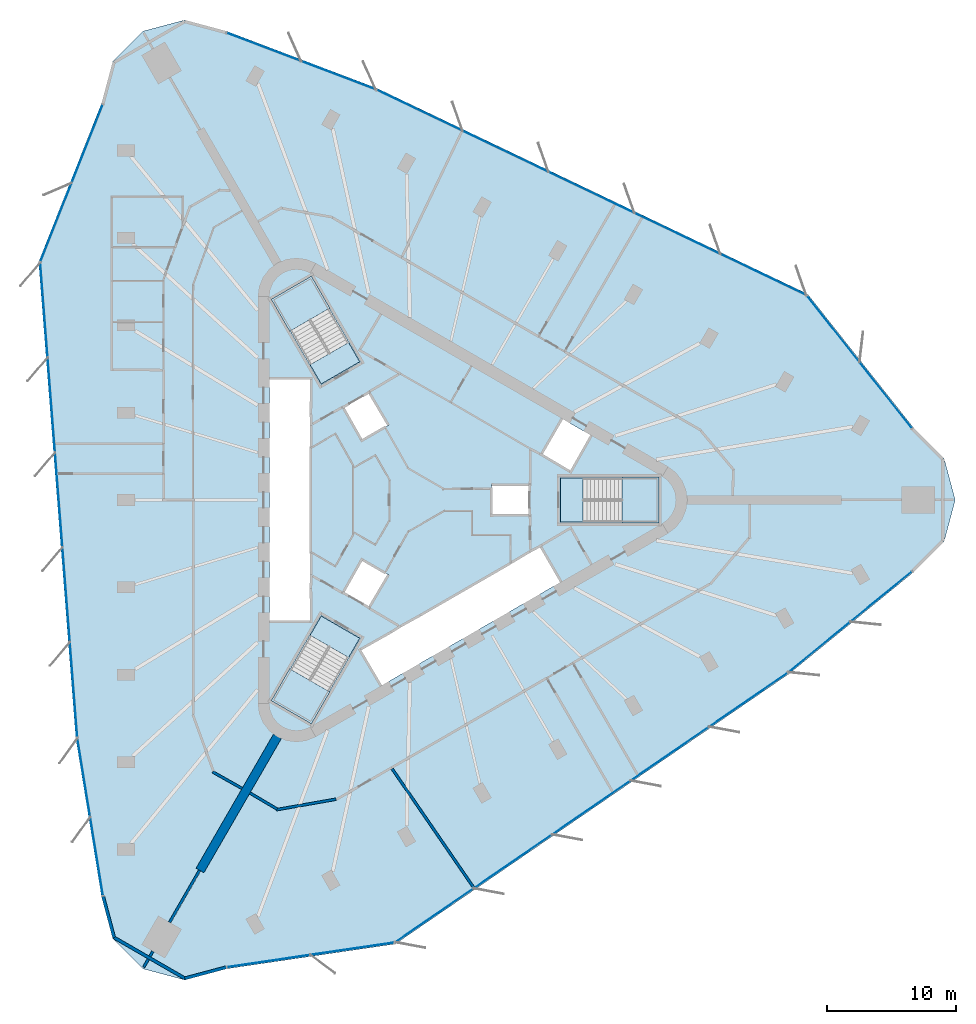
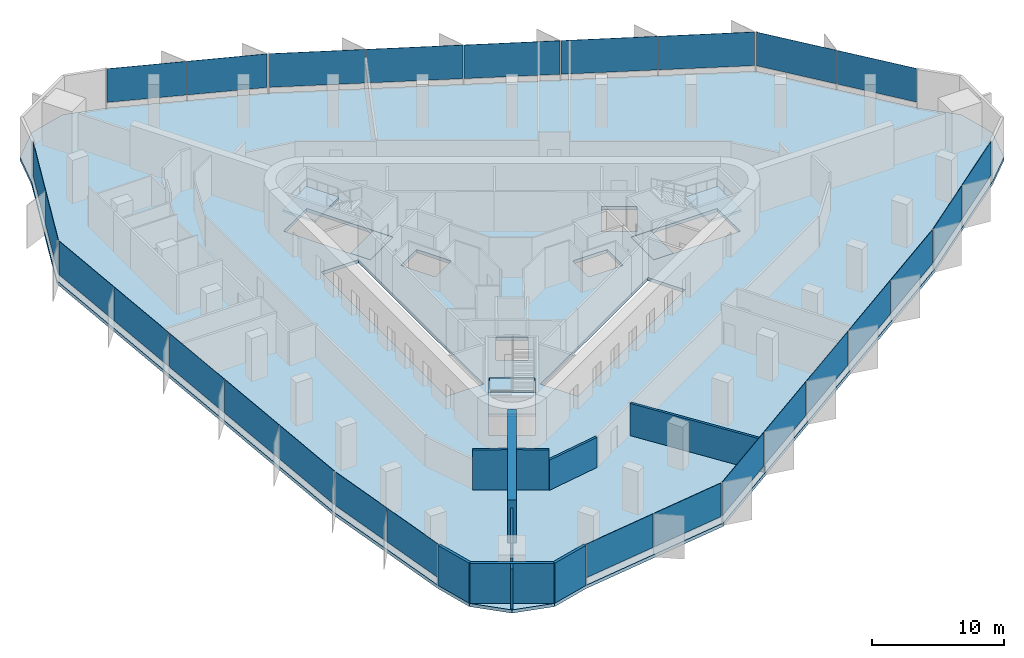
# One storey, part 7 of 13: 27 plates, 11 walls, 7 slabs, 12 elements without a shape of their own.
"""IFC4 building model written with IfcOpenShell, lengths in metres."""

from ifc_helpers import new_model, si_unit, direction, frame, frame_2d, origin, origin_2d, place, context, subcontext, project, spatial, polyline, rectangle, outline, extrude, material, layer, layer_set, type_object, element, aggregate, save


model = new_model("IFC4")

# Units and contexts
model_context = context("Model", 3, precision=1e-05, world=origin(), true_north=direction((0.0, 1.0)))
body_context = subcontext(model_context, "Body", "Model", "MODEL_VIEW")
ifc_project = project(units=[si_unit("LENGTHUNIT", "METRE"), si_unit("AREAUNIT", "SQUARE_METRE"), si_unit("VOLUMEUNIT", "CUBIC_METRE"), si_unit("PLANEANGLEUNIT", "RADIAN"), si_unit("MASSUNIT", "GRAM", prefix="KILO")], contexts=[model_context])

# Site, building, storey
site_placement = place(None, origin())
site = spatial("IfcSite", under=ifc_project, at=site_placement, CompositionType="ELEMENT")
building_placement = place(site_placement, origin())
building = spatial("IfcBuilding", under=site, at=building_placement, Name="Tanit Gate Tower", CompositionType="ELEMENT")
storey_placement = place(building_placement, frame((0.0, 0.0, 197.199951171875)))
storey = spatial("IfcBuildingStorey", under=building, at=storey_placement, Name="L43", CompositionType="ELEMENT", Elevation=197.199951171875)

# Slab
ifc_material_1 = material(Name="Concrete C35/45", Category="concrete")
ifc_layer_1 = layer(ifc_material_1, 0.300048828125)
ifc_layer_set_1 = layer_set([ifc_layer_1], Name="FLOOR SLAB 300 C35/45")
slab_type_1 = type_object("IfcSlabType", Name="FLOOR SLAB 300 C35/45", PredefinedType="FLOOR", material=ifc_layer_set_1)
slab_1_placement = place(storey_placement, frame((0.0, 0.0, -0.300048828125)))
element("IfcSlab", 1, at=slab_1_placement, inside=storey, type_object=slab_type_1, Name="FLOOR SLAB L43", PredefinedType="FLOOR", context=body_context, shape_type="SweptSolid", body=[
    extrude(outline(polyline([(38.729248046875, 5.590087890625), (41.091796875, 3.2275390625), (41.956787109375, 0.0), (41.091796875, -3.2275390625), (38.729248046875, -5.590087890625), (29.077392578125, -13.468994140625), (-1.43408203125, -34.410888671875), (-14.5234375, -36.335693359375), (-17.7509765625, -37.200439453125), (-20.978515625, -36.335693359375), (-23.341064453125, -33.972900390625), (-24.205810546875, -30.745361328125), (-26.202880859375, -18.447265625), (-29.08349609375, 18.447265625), (-24.205810546875, 30.745361328125), (-23.341064453125, 33.972900390625), (-20.978515625, 36.335693359375), (-17.7509765625, 37.200439453125), (-14.5234375, 36.335693359375), (-2.874267578125, 31.916015625), (30.517578125, 15.96337890625), (38.729248046875, 5.590087890625)]), holes=[polyline([(11.3701171875, 1.72998046875), (18.929931640625, 1.72998046875), (18.929931640625, -1.72998046875), (11.3701171875, -1.72998046875), (11.3701171875, 1.72998046875)]), polyline([(9.82080078125, 3.510009765625), (11.44580078125, 6.324462890625), (13.783935546875, 4.974609375), (12.158935546875, 2.159912109375), (9.82080078125, 3.510009765625)]), polyline([(-4.208984375, -11.60986328125), (9.82080078125, -3.510009765625), (11.44580078125, -6.324462890625), (-2.583984375, -14.424560546875), (-4.208984375, -11.60986328125)]), polyline([(6.0, 1.199951171875), (9.0, 1.199951171875), (9.0, -1.199951171875), (6.0, -1.199951171875), (6.0, 1.199951171875)]), polyline([(-5.539306640625, 7.194091796875), (-3.460693359375, 8.394287109375), (-1.960693359375, 5.796142578125), (-4.039306640625, 4.59619140625), (-5.539306640625, 7.194091796875)]), polyline([(-1.960693359375, -5.796142578125), (-3.460693359375, -8.394287109375), (-5.539306640625, -7.194091796875), (-4.039306640625, -4.59619140625), (-1.960693359375, -5.796142578125)]), polyline([(-10.963134765625, 15.52880859375), (-7.966796875, 17.2587890625), (-4.186767578125, 10.711669921875), (-7.18310546875, 8.981689453125), (-10.963134765625, 15.52880859375)]), polyline([(-4.186767578125, -10.711669921875), (-7.966796875, -17.2587890625), (-10.963134765625, -15.52880859375), (-7.18310546875, -8.981689453125), (-4.186767578125, -10.711669921875)]), polyline([(-11.199951171875, -9.449951171875), (-11.199951171875, 9.449951171875), (-7.949951171875, 9.449951171875), (-7.949951171875, -9.449951171875), (-11.199951171875, -9.449951171875)])]), origin(), (0.0, 0.0, 1.0), 0.300048828125),
])

# Curtain wall, plates
ifc_material_2 = material(Name="Aluminium bronze anodised and glass", Category="aluminium")
curtain_wall_type = type_object("IfcCurtainWallType", Name="Curtain wall typical mid", PredefinedType="NOTDEFINED", material=ifc_material_2)
curtain_wall_1_placement = place(storey_placement, origin())
curtain_wall_1 = element("IfcCurtainWall", 2, at=curtain_wall_1_placement, inside=storey, type_object=curtain_wall_type, Name="Curtain wall L43 NE1", PredefinedType="NOTDEFINED")
ifc_material_3 = material(Name="Glass tinted", Category="glass")
ifc_layer_2 = layer(ifc_material_3, 0.030029296875)
ifc_layer_set_2 = layer_set([ifc_layer_2], Name="Glass panel 30 typical mid")
plate_type = type_object("IfcPlateType", Name="Glass panel 30 typical mid", PredefinedType="CURTAIN_PANEL", material=ifc_layer_set_2)
plate_1_placement = place(storey_placement, frame((36.577392578125, 8.115234375, 0.60009765625), z_axis=(0.0, 0.0, 1.0), x_axis=(-0.620674676838, 0.784068202092, 0.0)))
plate_1 = element("IfcPlate", 3, at=plate_1_placement, type_object=plate_type, Name="Glass panel L43 NE1.1", PredefinedType="CURTAIN_PANEL", context=body_context, shape_type="SweptSolid", body=[
    extrude(rectangle(XDim=6.484619140625, YDim=0.030029296875, at=origin_2d()), origin(), (0.0, 0.0, 1.0), 3.10009765625),
])
plate_2_placement = place(storey_placement, frame((32.5029296875, 13.26220703125, 0.60009765625), z_axis=(0.0, 0.0, 1.0), x_axis=(-0.620674676838, 0.784068202092, 0.0)))
plate_2 = element("IfcPlate", 4, at=plate_2_placement, type_object=plate_type, Name="Glass panel L43 NE1.2", PredefinedType="CURTAIN_PANEL", context=body_context, shape_type="SweptSolid", body=[
    extrude(rectangle(XDim=6.484619140625, YDim=0.030029296875, at=origin_2d()), origin(), (0.0, 0.0, 1.0), 3.10009765625),
])
aggregate(curtain_wall_1, [plate_1, plate_2])

curtain_wall_2_placement = place(storey_placement, origin())
curtain_wall_2 = element("IfcCurtainWall", 5, at=curtain_wall_2_placement, inside=storey, type_object=curtain_wall_type, Name="Curtain wall L43 NE2", PredefinedType="NOTDEFINED")
plate_3_placement = place(storey_placement, frame((27.07568359375, 17.474853515625, 0.60009765625), z_axis=(0.0, 0.0, 1.0), x_axis=(-0.902317145415, 0.431072811819, 0.0)))
plate_3 = element("IfcPlate", 6, at=plate_3_placement, type_object=plate_type, Name="Glass panel L43 NE2.1", PredefinedType="CURTAIN_PANEL", context=body_context, shape_type="SweptSolid", body=[
    extrude(rectangle(XDim=7.298828125, YDim=0.030029296875, at=origin_2d()), origin(), (0.0, 0.0, 1.0), 3.10009765625),
])
plate_4_placement = place(storey_placement, frame((20.417724609375, 20.65576171875, 0.60009765625), z_axis=(0.0, 0.0, 1.0), x_axis=(-0.902317145415, 0.431072811819, 0.0)))
plate_4 = element("IfcPlate", 7, at=plate_4_placement, type_object=plate_type, Name="Glass panel L43 NE2.2", PredefinedType="CURTAIN_PANEL", context=body_context, shape_type="SweptSolid", body=[
    extrude(rectangle(XDim=7.298828125, YDim=0.030029296875, at=origin_2d()), origin(), (0.0, 0.0, 1.0), 3.10009765625),
])
plate_5_placement = place(storey_placement, frame((13.759521484375, 23.83642578125, 0.60009765625), z_axis=(0.0, 0.0, 1.0), x_axis=(-0.902317145415, 0.431072811819, 0.0)))
plate_5 = element("IfcPlate", 8, at=plate_5_placement, type_object=plate_type, Name="Glass panel L43 NE2.3", PredefinedType="CURTAIN_PANEL", context=body_context, shape_type="SweptSolid", body=[
    extrude(rectangle(XDim=7.298828125, YDim=0.030029296875, at=origin_2d()), origin(), (0.0, 0.0, 1.0), 3.10009765625),
])
plate_6_placement = place(storey_placement, frame((7.1015625, 27.017333984375, 0.60009765625), z_axis=(0.0, 0.0, 1.0), x_axis=(-0.902317145415, 0.431072811819, 0.0)))
plate_6 = element("IfcPlate", 9, at=plate_6_placement, type_object=plate_type, Name="Glass panel L43 NE2.4", PredefinedType="CURTAIN_PANEL", context=body_context, shape_type="SweptSolid", body=[
    extrude(rectangle(XDim=7.298828125, YDim=0.030029296875, at=origin_2d()), origin(), (0.0, 0.0, 1.0), 3.10009765625),
])
plate_7_placement = place(storey_placement, frame((0.443603515625, 30.197998046875, 0.60009765625), z_axis=(0.0, 0.0, 1.0), x_axis=(-0.902317145415, 0.431072811819, 0.0)))
plate_7 = element("IfcPlate", 10, at=plate_7_placement, type_object=plate_type, Name="Glass panel L43 NE2.5", PredefinedType="CURTAIN_PANEL", context=body_context, shape_type="SweptSolid", body=[
    extrude(rectangle(XDim=7.298828125, YDim=0.030029296875, at=origin_2d()), origin(), (0.0, 0.0, 1.0), 3.10009765625),
])
aggregate(curtain_wall_2, [plate_3, plate_4, plate_5, plate_6, plate_7])

curtain_wall_3_placement = place(storey_placement, origin())
curtain_wall_3 = element("IfcCurtainWall", 11, at=curtain_wall_3_placement, inside=storey, type_object=curtain_wall_type, Name="Curtain wall L43 NE3", PredefinedType="NOTDEFINED")
plate_8_placement = place(storey_placement, frame((-5.849853515625, 32.916748046875, 0.60009765625), z_axis=(0.0, 0.0, 1.0), x_axis=(-0.934976215335, 0.35471041253, 0.0)))
plate_8 = element("IfcPlate", 12, at=plate_8_placement, type_object=plate_type, Name="Glass panel L43 NE3.1", PredefinedType="CURTAIN_PANEL", context=body_context, shape_type="SweptSolid", body=[
    extrude(rectangle(XDim=6.10400390625, YDim=0.030029296875, at=origin_2d()), origin(), (0.0, 0.0, 1.0), 3.10009765625),
])
plate_9_placement = place(storey_placement, frame((-11.6318359375, 35.1103515625, 0.60009765625), z_axis=(0.0, 0.0, 1.0), x_axis=(-0.934976215335, 0.35471041253, 0.0)))
plate_9 = element("IfcPlate", 13, at=plate_9_placement, type_object=plate_type, Name="Glass panel L43 NE3.2", PredefinedType="CURTAIN_PANEL", context=body_context, shape_type="SweptSolid", body=[
    extrude(rectangle(XDim=6.10400390625, YDim=0.030029296875, at=origin_2d()), origin(), (0.0, 0.0, 1.0), 3.10009765625),
])
aggregate(curtain_wall_3, [plate_8, plate_9])

curtain_wall_4_placement = place(storey_placement, origin())
curtain_wall_4 = element("IfcCurtainWall", 14, at=curtain_wall_4_placement, inside=storey, type_object=curtain_wall_type, Name="Curtain wall L43 W1", PredefinedType="NOTDEFINED")
plate_10_placement = place(storey_placement, frame((-25.316650390625, 27.619384765625, 0.60009765625), z_axis=(0.0, 0.0, 1.0), x_axis=(-0.368685642892, -0.929554138674, 0.0)))
plate_10 = element("IfcPlate", 15, at=plate_10_placement, type_object=plate_type, Name="Glass panel L43 W1.1", PredefinedType="CURTAIN_PANEL", context=body_context, shape_type="SweptSolid", body=[
    extrude(rectangle(XDim=6.484619140625, YDim=0.030029296875, at=origin_2d()), origin(), (0.0, 0.0, 1.0), 3.10009765625),
])
plate_11_placement = place(storey_placement, frame((-27.73681640625, 21.51708984375, 0.60009765625), z_axis=(0.0, 0.0, 1.0), x_axis=(-0.368685642892, -0.929554138674, 0.0)))
plate_11 = element("IfcPlate", 16, at=plate_11_placement, type_object=plate_type, Name="Glass panel L43 W1.2", PredefinedType="CURTAIN_PANEL", context=body_context, shape_type="SweptSolid", body=[
    extrude(rectangle(XDim=6.484619140625, YDim=0.030029296875, at=origin_2d()), origin(), (0.0, 0.0, 1.0), 3.10009765625),
])
aggregate(curtain_wall_4, [plate_10, plate_11])

curtain_wall_5_placement = place(storey_placement, origin())
curtain_wall_5 = element("IfcCurtainWall", 17, at=curtain_wall_5_placement, inside=storey, type_object=curtain_wall_type, Name="Curtain wall L43 W2", PredefinedType="NOTDEFINED")
plate_12_placement = place(storey_placement, frame((-28.67138671875, 14.710693359375, 0.60009765625), z_axis=(0.0, 0.0, 1.0), x_axis=(0.077838566791, -0.996965976109, 0.0)))
plate_12 = element("IfcPlate", 18, at=plate_12_placement, type_object=plate_type, Name="Glass panel L43 W2.1", PredefinedType="CURTAIN_PANEL", context=body_context, shape_type="SweptSolid", body=[
    extrude(rectangle(XDim=7.298828125, YDim=0.030029296875, at=origin_2d()), origin(), (0.0, 0.0, 1.0), 3.10009765625),
])
plate_13_placement = place(storey_placement, frame((-28.09716796875, 7.354248046875, 0.60009765625), z_axis=(0.0, 0.0, 1.0), x_axis=(0.077838566791, -0.996965976109, 0.0)))
plate_13 = element("IfcPlate", 19, at=plate_13_placement, type_object=plate_type, Name="Glass panel L43 W2.2", PredefinedType="CURTAIN_PANEL", context=body_context, shape_type="SweptSolid", body=[
    extrude(rectangle(XDim=7.298828125, YDim=0.030029296875, at=origin_2d()), origin(), (0.0, 0.0, 1.0), 3.10009765625),
])
plate_14_placement = place(storey_placement, frame((-27.522705078125, -0.001953125, 0.60009765625), z_axis=(0.0, 0.0, 1.0), x_axis=(0.077838566791, -0.996965976109, 0.0)))
plate_14 = element("IfcPlate", 20, at=plate_14_placement, type_object=plate_type, Name="Glass panel L43 W2.3", PredefinedType="CURTAIN_PANEL", context=body_context, shape_type="SweptSolid", body=[
    extrude(rectangle(XDim=7.298828125, YDim=0.030029296875, at=origin_2d()), origin(), (0.0, 0.0, 1.0), 3.10009765625),
])
plate_15_placement = place(storey_placement, frame((-26.948486328125, -7.3583984375, 0.60009765625), z_axis=(0.0, 0.0, 1.0), x_axis=(0.077838566791, -0.996965976109, 0.0)))
plate_15 = element("IfcPlate", 21, at=plate_15_placement, type_object=plate_type, Name="Glass panel L43 W2.4", PredefinedType="CURTAIN_PANEL", context=body_context, shape_type="SweptSolid", body=[
    extrude(rectangle(XDim=7.298828125, YDim=0.030029296875, at=origin_2d()), origin(), (0.0, 0.0, 1.0), 3.10009765625),
])
plate_16_placement = place(storey_placement, frame((-26.3740234375, -14.71484375, 0.60009765625), z_axis=(0.0, 0.0, 1.0), x_axis=(0.077838566791, -0.996965976109, 0.0)))
plate_16 = element("IfcPlate", 22, at=plate_16_placement, type_object=plate_type, Name="Glass panel L43 W2.5", PredefinedType="CURTAIN_PANEL", context=body_context, shape_type="SweptSolid", body=[
    extrude(rectangle(XDim=7.298828125, YDim=0.030029296875, at=origin_2d()), origin(), (0.0, 0.0, 1.0), 3.10009765625),
])
aggregate(curtain_wall_5, [plate_12, plate_13, plate_14, plate_15, plate_16])

curtain_wall_6_placement = place(storey_placement, origin())
curtain_wall_6 = element("IfcCurtainWall", 23, at=curtain_wall_6_placement, inside=storey, type_object=curtain_wall_type, Name="Curtain wall L43 W3", PredefinedType="NOTDEFINED")
plate_17_placement = place(storey_placement, frame((-25.581787109375, -21.5244140625, 0.60009765625), z_axis=(0.0, 0.0, 1.0), x_axis=(0.16029987943, -0.98706836068, 0.0)))
plate_17 = element("IfcPlate", 24, at=plate_17_placement, type_object=plate_type, Name="Glass panel L43 W3.1", PredefinedType="CURTAIN_PANEL", context=body_context, shape_type="SweptSolid", body=[
    extrude(rectangle(XDim=6.10400390625, YDim=0.030029296875, at=origin_2d()), origin(), (0.0, 0.0, 1.0), 3.10009765625),
])
plate_18_placement = place(storey_placement, frame((-24.59033203125, -27.628662109375, 0.60009765625), z_axis=(0.0, 0.0, 1.0), x_axis=(0.16029987943, -0.98706836068, 0.0)))
plate_18 = element("IfcPlate", 25, at=plate_18_placement, type_object=plate_type, Name="Glass panel L43 W3.2", PredefinedType="CURTAIN_PANEL", context=body_context, shape_type="SweptSolid", body=[
    extrude(rectangle(XDim=6.10400390625, YDim=0.030029296875, at=origin_2d()), origin(), (0.0, 0.0, 1.0), 3.10009765625),
])
aggregate(curtain_wall_6, [plate_17, plate_18])

curtain_wall_7_placement = place(storey_placement, origin())
curtain_wall_7 = element("IfcCurtainWall", 26, at=curtain_wall_7_placement, inside=storey, type_object=curtain_wall_type, Name="Curtain wall L43 SE1", PredefinedType="NOTDEFINED")
plate_19_placement = place(storey_placement, frame((-11.2607421875, -35.734619140625, 0.60009765625), z_axis=(0.0, 0.0, 1.0), x_axis=(0.98936031973, 0.145485936582, 0.0)))
plate_19 = element("IfcPlate", 27, at=plate_19_placement, type_object=plate_type, Name="Glass panel L43 SE1.1", PredefinedType="CURTAIN_PANEL", context=body_context, shape_type="SweptSolid", body=[
    extrude(rectangle(XDim=6.484619140625, YDim=0.030029296875, at=origin_2d()), origin(), (0.0, 0.0, 1.0), 3.10009765625),
])
plate_20_placement = place(storey_placement, frame((-4.765869140625, -34.779541015625, 0.60009765625), z_axis=(0.0, 0.0, 1.0), x_axis=(0.98936031973, 0.145485936582, 0.0)))
plate_20 = element("IfcPlate", 28, at=plate_20_placement, type_object=plate_type, Name="Glass panel L43 SE1.2", PredefinedType="CURTAIN_PANEL", context=body_context, shape_type="SweptSolid", body=[
    extrude(rectangle(XDim=6.484619140625, YDim=0.030029296875, at=origin_2d()), origin(), (0.0, 0.0, 1.0), 3.10009765625),
])
aggregate(curtain_wall_7, [plate_19, plate_20])

curtain_wall_8_placement = place(storey_placement, origin())
curtain_wall_8 = element("IfcCurtainWall", 29, at=curtain_wall_8_placement, inside=storey, type_object=curtain_wall_type, Name="Curtain wall L43 SE2", PredefinedType="NOTDEFINED")
plate_21_placement = place(storey_placement, frame((1.595947265625, -32.185546875, 0.60009765625), z_axis=(0.0, 0.0, 1.0), x_axis=(0.824478578624, 0.56589316429, 0.0)))
plate_21 = element("IfcPlate", 30, at=plate_21_placement, type_object=plate_type, Name="Glass panel L43 SE2.1", PredefinedType="CURTAIN_PANEL", context=body_context, shape_type="SweptSolid", body=[
    extrude(rectangle(XDim=7.298828125, YDim=0.030029296875, at=origin_2d()), origin(), (0.0, 0.0, 1.0), 3.10009765625),
])
plate_22_placement = place(storey_placement, frame((7.679443359375, -28.010009765625, 0.60009765625), z_axis=(0.0, 0.0, 1.0), x_axis=(0.824478578624, 0.56589316429, 0.0)))
plate_22 = element("IfcPlate", 31, at=plate_22_placement, type_object=plate_type, Name="Glass panel L43 SE2.2", PredefinedType="CURTAIN_PANEL", context=body_context, shape_type="SweptSolid", body=[
    extrude(rectangle(XDim=7.298828125, YDim=0.030029296875, at=origin_2d()), origin(), (0.0, 0.0, 1.0), 3.10009765625),
])
plate_23_placement = place(storey_placement, frame((13.76318359375, -23.83447265625, 0.60009765625), z_axis=(0.0, 0.0, 1.0), x_axis=(0.824478578624, 0.56589316429, 0.0)))
plate_23 = element("IfcPlate", 32, at=plate_23_placement, type_object=plate_type, Name="Glass panel L43 SE2.3", PredefinedType="CURTAIN_PANEL", context=body_context, shape_type="SweptSolid", body=[
    extrude(rectangle(XDim=7.298828125, YDim=0.030029296875, at=origin_2d()), origin(), (0.0, 0.0, 1.0), 3.10009765625),
])
plate_24_placement = place(storey_placement, frame((19.846923828125, -19.65869140625, 0.60009765625), z_axis=(0.0, 0.0, 1.0), x_axis=(0.824478578624, 0.56589316429, 0.0)))
plate_24 = element("IfcPlate", 33, at=plate_24_placement, type_object=plate_type, Name="Glass panel L43 SE2.4", PredefinedType="CURTAIN_PANEL", context=body_context, shape_type="SweptSolid", body=[
    extrude(rectangle(XDim=7.298828125, YDim=0.030029296875, at=origin_2d()), origin(), (0.0, 0.0, 1.0), 3.10009765625),
])
plate_25_placement = place(storey_placement, frame((25.930419921875, -15.483154296875, 0.60009765625), z_axis=(0.0, 0.0, 1.0), x_axis=(0.824478578624, 0.56589316429, 0.0)))
plate_25 = element("IfcPlate", 34, at=plate_25_placement, type_object=plate_type, Name="Glass panel L43 SE2.5", PredefinedType="CURTAIN_PANEL", context=body_context, shape_type="SweptSolid", body=[
    extrude(rectangle(XDim=7.298828125, YDim=0.030029296875, at=origin_2d()), origin(), (0.0, 0.0, 1.0), 3.10009765625),
])
aggregate(curtain_wall_8, [plate_21, plate_22, plate_23, plate_24, plate_25])

curtain_wall_9_placement = place(storey_placement, origin())
curtain_wall_9 = element("IfcCurtainWall", 35, at=curtain_wall_9_placement, inside=storey, type_object=curtain_wall_type, Name="Curtain wall L43 SE3", PredefinedType="NOTDEFINED")
plate_26_placement = place(storey_placement, frame((31.431640625, -11.39208984375, 0.60009765625), z_axis=(0.0, 0.0, 1.0), x_axis=(0.774676335905, 0.63235794815, 0.0)))
plate_26 = element("IfcPlate", 36, at=plate_26_placement, type_object=plate_type, Name="Glass panel L43 SE3.1", PredefinedType="CURTAIN_PANEL", context=body_context, shape_type="SweptSolid", body=[
    extrude(rectangle(XDim=6.10400390625, YDim=0.030029296875, at=origin_2d()), origin(), (0.0, 0.0, 1.0), 3.10009765625),
])
plate_27_placement = place(storey_placement, frame((36.222412109375, -7.481689453125, 0.60009765625), z_axis=(0.0, 0.0, 1.0), x_axis=(0.774676335905, 0.63235794815, 0.0)))
plate_27 = element("IfcPlate", 37, at=plate_27_placement, type_object=plate_type, Name="Glass panel L43 SE3.2", PredefinedType="CURTAIN_PANEL", context=body_context, shape_type="SweptSolid", body=[
    extrude(rectangle(XDim=6.10400390625, YDim=0.030029296875, at=origin_2d()), origin(), (0.0, 0.0, 1.0), 3.10009765625),
])
aggregate(curtain_wall_9, [plate_26, plate_27])

# Stair, slab
ifc_material_4 = material(Name="Concrete C40/50", Category="concrete")
stair_type = type_object("IfcStairType", Name="INT-STAIR-EXIT", PredefinedType="HALF_TURN_STAIR", material=ifc_material_4)
stair_1_placement = place(storey_placement, origin())
stair_1 = element("IfcStair", 38, at=stair_1_placement, inside=storey, type_object=stair_type, Name="L43 STAIR S1", PredefinedType="HALF_TURN_STAIR")
ifc_material_5 = material(Name="Concrete C40/50", Category="concrete")
ifc_layer_3 = layer(ifc_material_5, 0.199951171875)
ifc_layer_set_3 = layer_set([ifc_layer_3], Name="INT-STAIR-LANDING")
slab_type_2 = type_object("IfcSlabType", Name="INT-STAIR-LANDING", PredefinedType="LANDING", material=ifc_layer_set_3)
slab_2_placement = place(storey_placement, frame((0.0, 0.0, 1.800048828125)))
slab_2 = element("IfcSlab", 39, at=slab_2_placement, type_object=slab_type_2, Name="S1 landing 1", PredefinedType="LANDING", context=body_context, shape_type="SweptSolid", body=[
    extrude(outline(polyline([(16.135986328125, -1.800048828125), (19.0, -1.800048828125), (19.0, 1.800048828125), (16.135986328125, 1.800048828125), (16.135986328125, -1.800048828125)])), origin(), (0.0, 0.0, 1.0), 0.199951171875),
])
aggregate(stair_1, [slab_2])

# Slab
slab_3_placement = place(storey_placement, frame((0.0, 0.0, -0.199951171875)))
element("IfcSlab", 40, at=slab_3_placement, inside=storey, type_object=slab_type_2, Name="S1 floor landing", PredefinedType="LANDING", context=body_context, shape_type="SweptSolid", body=[
    extrude(outline(polyline([(11.3798828125, -1.719970703125), (13.10498046875, -1.719970703125), (13.10498046875, 1.719970703125), (11.3798828125, 1.719970703125), (11.3798828125, -1.719970703125)])), origin(), (0.0, 0.0, 1.0), 0.199951171875),
])

# Stair, slab
stair_2_placement = place(storey_placement, origin())
stair_2 = element("IfcStair", 41, at=stair_2_placement, inside=storey, type_object=stair_type, Name="L43 STAIR S2", PredefinedType="HALF_TURN_STAIR")
slab_4_placement = place(storey_placement, frame((0.0, 0.0, 1.800048828125)))
slab_4 = element("IfcSlab", 42, at=slab_4_placement, type_object=slab_type_2, Name="S2 landing 1", PredefinedType="LANDING", context=body_context, shape_type="SweptSolid", body=[
    extrude(outline(polyline([(-6.5078125, 14.871826171875), (-7.941162109375, 17.3544921875), (-11.058837890625, 15.554443359375), (-9.62548828125, 13.07177734375), (-6.5078125, 14.871826171875)])), origin(), (0.0, 0.0, 1.0), 0.199951171875),
])
aggregate(stair_2, [slab_4])

# Slab
slab_5_placement = place(storey_placement, frame((0.0, 0.0, -0.199951171875)))
element("IfcSlab", 43, at=slab_5_placement, inside=storey, type_object=slab_type_2, Name="S2 floor landing", PredefinedType="LANDING", context=body_context, shape_type="SweptSolid", body=[
    extrude(outline(polyline([(-4.200439453125, 10.71533203125), (-5.0625, 12.20849609375), (-8.04150390625, 10.48828125), (-7.179443359375, 8.995361328125), (-4.200439453125, 10.71533203125)])), origin(), (0.0, 0.0, 1.0), 0.199951171875),
])

# Stair, slab
stair_3_placement = place(storey_placement, origin())
stair_3 = element("IfcStair", 44, at=stair_3_placement, inside=storey, type_object=stair_type, Name="L43 STAIR S3", PredefinedType="HALF_TURN_STAIR")
slab_6_placement = place(storey_placement, frame((0.0, 0.0, 1.800048828125)))
slab_6 = element("IfcSlab", 45, at=slab_6_placement, type_object=slab_type_2, Name="S3 landing 1", PredefinedType="LANDING", context=body_context, shape_type="SweptSolid", body=[
    extrude(outline(polyline([(-9.626953125, -13.07421875), (-11.058837890625, -15.554443359375), (-7.941162109375, -17.3544921875), (-6.509033203125, -14.874267578125), (-9.626953125, -13.07421875)])), origin(), (0.0, 0.0, 1.0), 0.199951171875),
])
aggregate(stair_3, [slab_6])

# Slab
slab_7_placement = place(storey_placement, frame((0.0, 0.0, -0.199951171875)))
element("IfcSlab", 46, at=slab_7_placement, inside=storey, type_object=slab_type_2, Name="S3 floor landing", PredefinedType="LANDING", context=body_context, shape_type="SweptSolid", body=[
    extrude(outline(polyline([(-7.179443359375, -8.995361328125), (-8.0419921875, -10.4892578125), (-5.06298828125, -12.209228515625), (-4.200439453125, -10.71533203125), (-7.179443359375, -8.995361328125)])), origin(), (0.0, 0.0, 1.0), 0.199951171875),
])

# Walls
ifc_material_6 = material(Name="Concrete C50/60", Category="concrete")
ifc_layer_4 = layer(ifc_material_6, 0.699951171875)
ifc_layer_set_4 = layer_set([ifc_layer_4], Name="BUTTRESS FIN 700 C50/60")
wall_type_1 = type_object("IfcWallType", Name="BUTTRESS FIN 700 C50/60", PredefinedType="SHEAR", material=ifc_layer_set_4)
wall_1_placement = place(storey_placement, frame((-10.574951171875, -18.31640625, 0.0), z_axis=(0.0, 0.0, 1.0), x_axis=(-0.500001138955, -0.866024746207, 0.0)))
element("IfcWall", 47, at=wall_1_placement, inside=storey, type_object=wall_type_1, Name="BUTTRESS FIN", PredefinedType="SHEAR", context=body_context, shape_type="SweptSolid", body=[
    extrude(rectangle(XDim=12.0068359375, YDim=0.699951171875, at=frame_2d((6.00341796875, 0.0))), origin(), (0.0, 0.0, 1.0), 4.0),
])
ifc_material_7 = material(Name="Concrete C30/37 with bronze anodised aluminium cladding", Category="concrete")
ifc_layer_5 = layer(ifc_material_7, 0.239990234375)
ifc_layer_set_5 = layer_set([ifc_layer_5], Name="Facade wall bronze clad 240")
wall_type_2 = type_object("IfcWallType", Name="Facade wall bronze clad 240", PredefinedType="SOLIDWALL", material=ifc_layer_set_5)
wall_2_placement = place(storey_placement, frame((-24.08837890625, -30.72021484375, 0.0), z_axis=(0.0, 0.0, 1.0), x_axis=(0.258830906222, -0.965922648034, 0.0)))
element("IfcWall", 48, at=wall_2_placement, inside=storey, type_object=wall_type_2, Name="Bronze-clad facade wall L43 SW.arc1", PredefinedType="SOLIDWALL", context=body_context, shape_type="SweptSolid", body=[
    extrude(rectangle(XDim=3.30322265625, YDim=0.239990234375, at=frame_2d((1.651611328125, 0.0))), origin(), (0.0, 0.0, 1.0), 3.699951171875),
])
wall_3_placement = place(storey_placement, frame((-23.2333984375, -33.910888671875, 0.0), z_axis=(0.0, 0.0, 1.0), x_axis=(0.86602503047, -0.5000006466, 0.0)))
element("IfcWall", 49, at=wall_3_placement, inside=storey, type_object=wall_type_2, Name="Bronze-clad facade wall L43 SW.arc2", PredefinedType="SOLIDWALL", context=body_context, shape_type="SweptSolid", body=[
    extrude(rectangle(XDim=6.33056640625, YDim=0.239990234375, at=frame_2d((3.165283203125, 0.0))), origin(), (0.0, 0.0, 1.0), 3.699951171875),
])
wall_4_placement = place(storey_placement, frame((-17.7509765625, -37.076171875, 0.0), z_axis=(0.0, 0.0, 1.0), x_axis=(0.965916501562, 0.258853842949, 0.0)))
element("IfcWall", 50, at=wall_4_placement, inside=storey, type_object=wall_type_2, Name="Bronze-clad facade wall L43 SW.arc3", PredefinedType="SOLIDWALL", context=body_context, shape_type="SweptSolid", body=[
    extrude(rectangle(XDim=3.316162109375, YDim=0.239990234375, at=frame_2d((1.658203125, 0.0))), origin(), (0.0, 0.0, 1.0), 3.699951171875),
])
ifc_material_8 = material(Name="Fire-rated gypsum board partition")
ifc_layer_6 = layer(ifc_material_8, 0.199951171875)
ifc_layer_set_6 = layer_set([ifc_layer_6], Name="INT-WALL-COMPARTMENT")
wall_type_3 = type_object("IfcWallType", Name="INT-WALL-COMPARTMENT", PredefinedType="PARTITIONING", material=ifc_layer_set_6)
wall_5_placement = place(storey_placement, frame((-15.597900390625, -21.071533203125, 0.0), z_axis=(0.0, 0.0, 1.0), x_axis=(0.871234731294, -0.490866624438, 0.0)))
element("IfcWall", 51, at=wall_5_placement, inside=storey, type_object=wall_type_3, Name="Wall Compartment W096", PredefinedType="PARTITIONING", context=body_context, shape_type="SweptSolid", body=[
    extrude(rectangle(XDim=2.62255859375, YDim=0.199951171875, at=frame_2d((1.311279296875, 0.0))), origin(), (0.0, 0.0, 1.0), 3.699951171875),
])
wall_6_placement = place(storey_placement, frame((-10.664794921875, -24.0048828125, 0.0), z_axis=(0.0, 0.0, 1.0), x_axis=(0.984806532296, 0.173655100553, 0.0)))
element("IfcWall", 52, at=wall_6_placement, inside=storey, type_object=wall_type_3, Name="Wall Compartment W113", PredefinedType="PARTITIONING", context=body_context, shape_type="SweptSolid", body=[
    extrude(rectangle(XDim=4.70556640625, YDim=0.199951171875, at=frame_2d((2.352783203125, 0.0))), origin(), (0.0, 0.0, 1.0), 2.780029296875),
])
wall_7_placement = place(storey_placement, frame((-12.706787109375, -22.708984375, 0.0), z_axis=(0.0, 0.0, 1.0), x_axis=(0.860754387085, -0.509020515415, 0.0)))
element("IfcWall", 53, at=wall_7_placement, inside=storey, type_object=wall_type_3, Name="Wall Compartment W114", PredefinedType="PARTITIONING", context=body_context, shape_type="SweptSolid", body=[
    extrude(rectangle(XDim=2.45703125, YDim=0.199951171875, at=frame_2d((1.228515625, 0.0))), origin(), (0.0, 0.0, 1.0), 3.699951171875),
])
wall_8_placement = place(storey_placement, frame((-20.938232421875, -36.2060546875, 0.0), z_axis=(0.0, 0.0, 1.0), x_axis=(0.49996696679, 0.866044474677, 0.0)))
element("IfcWall", 54, at=wall_8_placement, inside=storey, type_object=wall_type_3, Name="Wall Compartment W117", PredefinedType="PARTITIONING", context=body_context, shape_type="SweptSolid", body=[
    extrude(rectangle(XDim=0.72021484375, YDim=0.199951171875, at=frame_2d((0.360107421875, 0.0))), origin(), (0.0, 0.0, 1.0), 3.699951171875),
])
wall_9_placement = place(storey_placement, frame((-20.458251953125, -35.37451171875, 0.0), z_axis=(0.0, 0.0, 1.0), x_axis=(0.500384246316, 0.865803445384, 0.0)))
element("IfcWall", 55, at=wall_9_placement, inside=storey, type_object=wall_type_3, Name="Wall Compartment W117x1", PredefinedType="PARTITIONING", context=body_context, shape_type="SweptSolid", body=[
    extrude(rectangle(XDim=0.457763671875, YDim=0.199951171875, at=frame_2d((0.22900390625, 0.0))), origin(), (0.0, 0.0, 1.0), 3.699951171875),
])
wall_10_placement = place(storey_placement, frame((-18.929443359375, -32.7265625, 0.0), z_axis=(0.0, 0.0, 1.0), x_axis=(0.500007271693, 0.86602120543, 0.0)))
element("IfcWall", 56, at=wall_10_placement, inside=storey, type_object=wall_type_3, Name="Wall Compartment W118", PredefinedType="PARTITIONING", context=body_context, shape_type="SweptSolid", body=[
    extrude(rectangle(XDim=4.64990234375, YDim=0.199951171875, at=frame_2d((2.324951171875, 0.0))), origin(), (0.0, 0.0, 1.0), 3.27001953125),
])
wall_11_placement = place(storey_placement, frame((4.662353515625, -30.080810546875, 0.0), z_axis=(0.0, 0.0, 1.0), x_axis=(-0.565886599798, 0.824483084223, 0.0)))
element("IfcWall", 57, at=wall_11_placement, inside=storey, type_object=wall_type_3, Name="Wall Compartment W135", PredefinedType="PARTITIONING", context=body_context, shape_type="SweptSolid", body=[
    extrude(rectangle(XDim=11.2158203125, YDim=0.199951171875, at=frame_2d((5.60791015625, 0.0))), origin(), (0.0, 0.0, 1.0), 2.97998046875),
])

save(model, "model.ifc")
